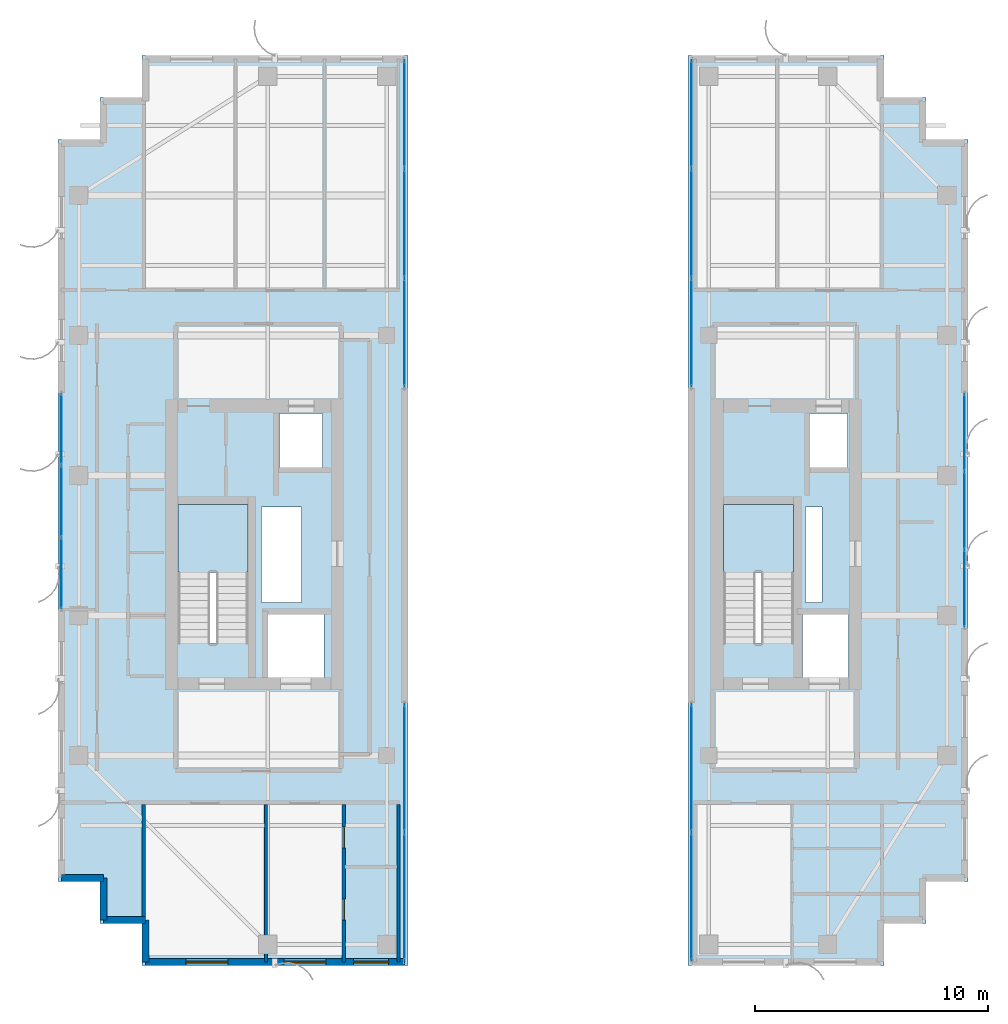
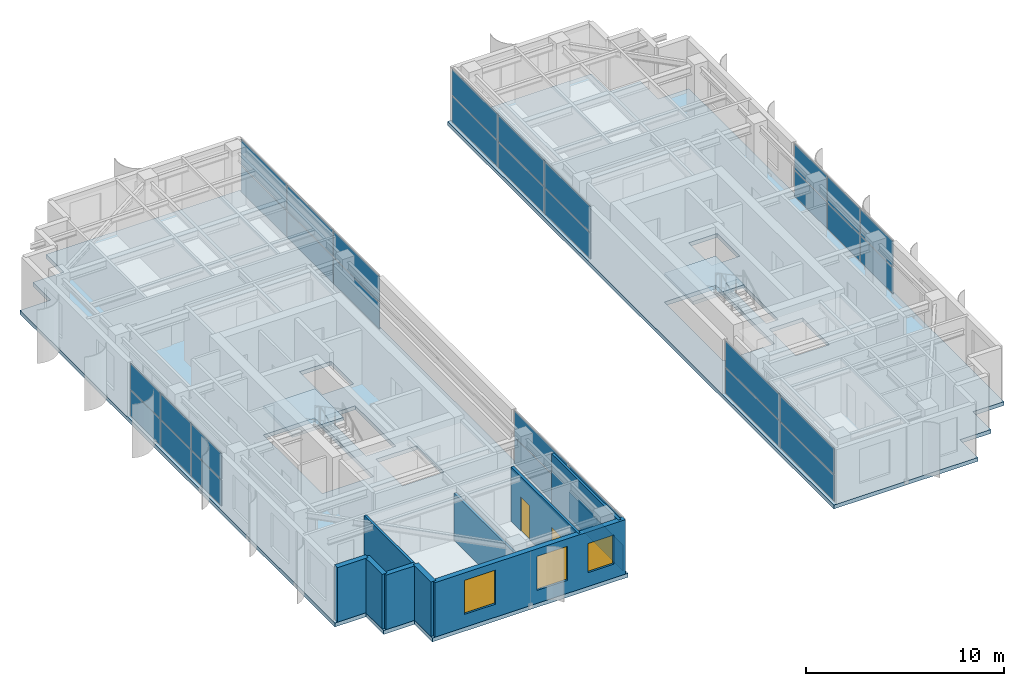
# One storey, part 17 of 24: 32 plates, 9 walls, 4 slabs, 3 windows, 2 doors, 5 openings, 8 elements without a shape of their own.
"""IFC4 building model written with IfcOpenShell, lengths in metres."""

from ifc_helpers import new_model, si_unit, direction, frame, frame_2d, origin, origin_2d, place, context, subcontext, project, spatial, polyline, rectangle, outline, extrude, source, transform, mapped, material, layer, layer_set, type_object, element, fill, aggregate, save


model = new_model("IFC4")

# Units and contexts
model_context = context("Model", 3, precision=1e-05, world=origin(), true_north=direction((0.0, 1.0)))
body_context = subcontext(model_context, "Body", "Model", "MODEL_VIEW")
ifc_project = project(units=[si_unit("LENGTHUNIT", "METRE"), si_unit("AREAUNIT", "SQUARE_METRE"), si_unit("VOLUMEUNIT", "CUBIC_METRE"), si_unit("PLANEANGLEUNIT", "RADIAN"), si_unit("MASSUNIT", "GRAM", prefix="KILO")], contexts=[model_context])

# Site, building, storey
site_placement = place(None, origin())
site = spatial("IfcSite", under=ifc_project, at=site_placement, CompositionType="ELEMENT")
building_placement = place(site_placement, origin())
building = spatial("IfcBuilding", under=site, at=building_placement, Name="Khoralis Quay Care Tower", CompositionType="ELEMENT")
storey_placement = place(building_placement, frame((0.0, 0.0, 238.5)))
storey = spatial("IfcBuildingStorey", under=building, at=storey_placement, Name="L62", CompositionType="ELEMENT", Elevation=238.5)

# Stair, slab
ifc_material_1 = material(Name="Precast concrete C45/55", Category="concrete")
stair_type = type_object("IfcStairType", Name="ST-TWR-DOGLEG-1400", PredefinedType="HALF_TURN_STAIR", material=ifc_material_1)
stair_1_placement = place(storey_placement, origin())
stair_1 = element("IfcStair", 1, at=stair_1_placement, inside=storey, type_object=stair_type, Name="L62 West Core Exit Stair ST-T1", PredefinedType="HALF_TURN_STAIR")
ifc_layer_1 = layer(ifc_material_1, 0.199951171875)
ifc_layer_set_1 = layer_set([ifc_layer_1], Name="Precast concrete C45/55")
slab_type_1 = type_object("IfcSlabType", Name="SLB-LANDING-200", PredefinedType="LANDING", material=ifc_layer_set_1)
slab_1_placement = place(storey_placement, frame((0.0, 0.0, 1.60009765625)))
slab_1 = element("IfcSlab", 2, at=slab_1_placement, type_object=slab_type_1, Name="ST-T1 landing 1", PredefinedType="LANDING", context=body_context, shape_type="SweptSolid", body=[
    extrude(outline(polyline([(11.14990234375, 19.840087890625), (11.14990234375, 22.75), (8.14990234375, 22.75), (8.14990234375, 19.840087890625), (11.14990234375, 19.840087890625)])), origin(), (0.0, 0.0, 1.0), 0.199951171875),
])
aggregate(stair_1, [slab_1])

stair_2_placement = place(storey_placement, origin())
stair_2 = element("IfcStair", 3, at=stair_2_placement, inside=storey, type_object=stair_type, Name="L62 East Core Exit Stair ST-T2", PredefinedType="HALF_TURN_STAIR")
slab_2_placement = place(storey_placement, frame((0.0, 0.0, 1.60009765625)))
slab_2 = element("IfcSlab", 4, at=slab_2_placement, type_object=slab_type_1, Name="ST-T2 landing 1", PredefinedType="LANDING", context=body_context, shape_type="SweptSolid", body=[
    extrude(outline(polyline([(34.52001953125, 19.840087890625), (34.52001953125, 22.75), (31.52001953125, 22.75), (31.52001953125, 19.840087890625), (34.52001953125, 19.840087890625)])), origin(), (0.0, 0.0, 1.0), 0.199951171875),
])
aggregate(stair_2, [slab_2])

# Slabs
ifc_material_2 = material(Name="Concrete C40/50", Category="concrete")
ifc_layer_2 = layer(ifc_material_2, 0.239990234375)
ifc_layer_set_2 = layer_set([ifc_layer_2], Name="Concrete C40/50")
slab_type_2 = type_object("IfcSlabType", Name="SLB-TWR-240", PredefinedType="FLOOR", material=ifc_layer_set_2)
slab_3_placement = place(storey_placement, frame((0.0, 0.0, -0.239990234375)))
element("IfcSlab", 5, at=slab_3_placement, inside=storey, type_object=slab_type_2, Name="Tower Wing 1 Slab L62", PredefinedType="FLOOR", context=body_context, shape_type="SweptSolid", body=[
    extrude(outline(polyline([(6.60009765625, 3.0), (18.0, 3.0), (18.0, 42.0), (6.60009765625, 42.0), (6.60009765625, 40.199951171875), (4.800048828125, 40.199951171875), (4.800048828125, 38.39990234375), (3.0, 38.39990234375), (3.0, 6.60009765625), (4.800048828125, 6.60009765625), (4.800048828125, 4.800048828125), (6.60009765625, 4.800048828125), (6.60009765625, 3.0)]), holes=[polyline([(11.14990234375, 16.800048828125), (11.14990234375, 22.75), (8.14990234375, 22.75), (8.14990234375, 16.800048828125), (11.14990234375, 16.800048828125)]), polyline([(12.0, 15.35009765625), (14.39990234375, 15.35009765625), (14.39990234375, 18.050048828125), (12.0, 18.050048828125), (12.0, 15.35009765625)]), polyline([(12.5, 24.35009765625), (14.35009765625, 24.35009765625), (14.35009765625, 26.64990234375), (12.5, 26.64990234375), (12.5, 24.35009765625)]), polyline([(11.719970703125, 18.550048828125), (13.449951171875, 18.550048828125), (13.449951171875, 22.64990234375), (11.719970703125, 22.64990234375), (11.719970703125, 18.550048828125)])]), origin(), (0.0, 0.0, 1.0), 0.239990234375),
])
slab_4_placement = place(storey_placement, frame((0.0, 0.0, -0.239990234375)))
element("IfcSlab", 6, at=slab_4_placement, inside=storey, type_object=slab_type_2, Name="Tower Wing 2 Slab L62", PredefinedType="FLOOR", context=body_context, shape_type="SweptSolid", body=[
    extrude(outline(polyline([(30.0, 3.0), (38.39990234375, 3.0), (38.39990234375, 4.800048828125), (40.199951171875, 4.800048828125), (40.199951171875, 6.60009765625), (42.0, 6.60009765625), (42.0, 38.39990234375), (40.199951171875, 38.39990234375), (40.199951171875, 40.199951171875), (38.39990234375, 40.199951171875), (38.39990234375, 42.0), (30.0, 42.0), (30.0, 3.0)]), holes=[polyline([(34.52001953125, 16.800048828125), (34.52001953125, 22.75), (31.52001953125, 22.75), (31.52001953125, 16.800048828125), (34.52001953125, 16.800048828125)]), polyline([(34.919921875, 15.35009765625), (36.8798828125, 15.35009765625), (36.8798828125, 18.050048828125), (34.919921875, 18.050048828125), (34.919921875, 15.35009765625)]), polyline([(35.199951171875, 24.35009765625), (36.85009765625, 24.35009765625), (36.85009765625, 26.64990234375), (35.199951171875, 26.64990234375), (35.199951171875, 24.35009765625)]), polyline([(35.050048828125, 18.550048828125), (35.75, 18.550048828125), (35.75, 22.64990234375), (35.050048828125, 22.64990234375), (35.050048828125, 18.550048828125)])]), origin(), (0.0, 0.0, 1.0), 0.239990234375),
])

# Curtain wall, plates
ifc_material_3 = material(Name="Pale anodised aluminium", Category="aluminium")
ifc_layer_3 = layer(ifc_material_3, 0.18994140625)
ifc_layer_set_3 = layer_set([ifc_layer_3], Name="Pale anodised aluminium")
curtain_wall_type_1 = type_object("IfcCurtainWallType", Name="CW-SYS-PORTAL", PredefinedType="NOTDEFINED", material=ifc_layer_set_3)
curtain_wall_1_placement = place(storey_placement, origin())
curtain_wall_1 = element("IfcCurtainWall", 7, at=curtain_wall_1_placement, inside=storey, type_object=curtain_wall_type_1, Name="L62 Unitised Curtain Wall CW-VP-L62-P1-S", PredefinedType="NOTDEFINED")
ifc_material_4 = material(Name="Low-E solar-control double glazing", Category="glass")
ifc_layer_4 = layer(ifc_material_4, 0.031982421875)
ifc_layer_set_4 = layer_set([ifc_layer_4], Name="Low-E solar-control double glazing")
plate_type = type_object("IfcPlateType", Name="PNL-VIS-32", PredefinedType="CURTAIN_PANEL", material=ifc_layer_set_4)
shared_shape_1 = source(origin(), body_context, "Body", "SweptSolid", [
    extrude(rectangle(XDim=5.4599609375, YDim=0.028076171875, at=origin_2d()), origin(), (0.0, 0.0, 1.0), 1.590087890625),
])
plate_1_placement = place(storey_placement, frame((17.85009765625, 5.93994140625, 0.06005859375), z_axis=(0.0, 0.0, 1.0), x_axis=(0.0, 1.0, 0.0)))
plate_1 = element("IfcPlate", 8, at=plate_1_placement, type_object=plate_type, Name="CW4 panel 1.1", PredefinedType="CURTAIN_PANEL", context=body_context, shape_type="MappedRepresentation", body=[
    mapped(shared_shape_1, transform((0.0, 0.0, 0.0), scale=1.0)),
])
plate_2_placement = place(storey_placement, frame((17.85009765625, 5.93994140625, 1.7099609375), z_axis=(0.0, 0.0, 1.0), x_axis=(0.0, 1.0, 0.0)))
plate_2 = element("IfcPlate", 9, at=plate_2_placement, type_object=plate_type, Name="CW4 panel 1.2", PredefinedType="CURTAIN_PANEL", context=body_context, shape_type="MappedRepresentation", body=[
    mapped(shared_shape_1, transform((0.0, 0.0, 0.0), scale=1.0)),
])
plate_3_placement = place(storey_placement, frame((17.85009765625, 11.4599609375, 0.06005859375), z_axis=(0.0, 0.0, 1.0), x_axis=(0.0, 1.0, 0.0)))
plate_3 = element("IfcPlate", 10, at=plate_3_placement, type_object=plate_type, Name="CW4 panel 2.1", PredefinedType="CURTAIN_PANEL", context=body_context, shape_type="MappedRepresentation", body=[
    mapped(shared_shape_1, transform((0.0, 0.0, 0.0), scale=1.0)),
])
plate_4_placement = place(storey_placement, frame((17.85009765625, 11.4599609375, 1.7099609375), z_axis=(0.0, 0.0, 1.0), x_axis=(0.0, 1.0, 0.0)))
plate_4 = element("IfcPlate", 11, at=plate_4_placement, type_object=plate_type, Name="CW4 panel 2.2", PredefinedType="CURTAIN_PANEL", context=body_context, shape_type="MappedRepresentation", body=[
    mapped(shared_shape_1, transform((0.0, 0.0, 0.0), scale=1.0)),
])
aggregate(curtain_wall_1, [plate_1, plate_2, plate_3, plate_4])

curtain_wall_2_placement = place(storey_placement, origin())
curtain_wall_2 = element("IfcCurtainWall", 12, at=curtain_wall_2_placement, inside=storey, type_object=curtain_wall_type_1, Name="L62 Unitised Curtain Wall CW-VP-L62-P2-S", PredefinedType="NOTDEFINED")
plate_5_placement = place(storey_placement, frame((30.14990234375, 5.93994140625, 0.06005859375), z_axis=(0.0, 0.0, 1.0), x_axis=(0.0, 1.0, 0.0)))
plate_5 = element("IfcPlate", 13, at=plate_5_placement, type_object=plate_type, Name="CW4 panel 1.1", PredefinedType="CURTAIN_PANEL", context=body_context, shape_type="MappedRepresentation", body=[
    mapped(shared_shape_1, transform((0.0, 0.0, 0.0), scale=1.0)),
])
plate_6_placement = place(storey_placement, frame((30.14990234375, 5.93994140625, 1.7099609375), z_axis=(0.0, 0.0, 1.0), x_axis=(0.0, 1.0, 0.0)))
plate_6 = element("IfcPlate", 14, at=plate_6_placement, type_object=plate_type, Name="CW4 panel 1.2", PredefinedType="CURTAIN_PANEL", context=body_context, shape_type="MappedRepresentation", body=[
    mapped(shared_shape_1, transform((0.0, 0.0, 0.0), scale=1.0)),
])
plate_7_placement = place(storey_placement, frame((30.14990234375, 11.4599609375, 0.06005859375), z_axis=(0.0, 0.0, 1.0), x_axis=(0.0, 1.0, 0.0)))
plate_7 = element("IfcPlate", 15, at=plate_7_placement, type_object=plate_type, Name="CW4 panel 2.1", PredefinedType="CURTAIN_PANEL", context=body_context, shape_type="MappedRepresentation", body=[
    mapped(shared_shape_1, transform((0.0, 0.0, 0.0), scale=1.0)),
])
plate_8_placement = place(storey_placement, frame((30.14990234375, 11.4599609375, 1.7099609375), z_axis=(0.0, 0.0, 1.0), x_axis=(0.0, 1.0, 0.0)))
plate_8 = element("IfcPlate", 16, at=plate_8_placement, type_object=plate_type, Name="CW4 panel 2.2", PredefinedType="CURTAIN_PANEL", context=body_context, shape_type="MappedRepresentation", body=[
    mapped(shared_shape_1, transform((0.0, 0.0, 0.0), scale=1.0)),
])
aggregate(curtain_wall_2, [plate_5, plate_6, plate_7, plate_8])

curtain_wall_3_placement = place(storey_placement, origin())
curtain_wall_3 = element("IfcCurtainWall", 17, at=curtain_wall_3_placement, inside=storey, type_object=curtain_wall_type_1, Name="L62 Unitised Curtain Wall CW-VP-L62-P1-N", PredefinedType="NOTDEFINED")
shared_shape_2 = source(origin(), body_context, "Body", "SweptSolid", [
    extrude(rectangle(XDim=4.610107421875, YDim=0.028076171875, at=origin_2d()), origin(), (0.0, 0.0, 1.0), 1.590087890625),
])
plate_9_placement = place(storey_placement, frame((17.85009765625, 30.114990234375, 0.06005859375), z_axis=(0.0, 0.0, 1.0), x_axis=(0.0, 1.0, 0.0)))
plate_9 = element("IfcPlate", 18, at=plate_9_placement, type_object=plate_type, Name="CW4 panel 1.1", PredefinedType="CURTAIN_PANEL", context=body_context, shape_type="MappedRepresentation", body=[
    mapped(shared_shape_2, transform((0.0, 0.0, 0.0), scale=1.0)),
])
plate_10_placement = place(storey_placement, frame((17.85009765625, 30.114990234375, 1.7099609375), z_axis=(0.0, 0.0, 1.0), x_axis=(0.0, 1.0, 0.0)))
plate_10 = element("IfcPlate", 19, at=plate_10_placement, type_object=plate_type, Name="CW4 panel 1.2", PredefinedType="CURTAIN_PANEL", context=body_context, shape_type="MappedRepresentation", body=[
    mapped(shared_shape_2, transform((0.0, 0.0, 0.0), scale=1.0)),
])
plate_11_placement = place(storey_placement, frame((17.85009765625, 39.485107421875, 0.06005859375), z_axis=(0.0, 0.0, 1.0), x_axis=(0.0, 1.0, 0.0)))
plate_11 = element("IfcPlate", 20, at=plate_11_placement, type_object=plate_type, Name="CW4 panel 3.1", PredefinedType="CURTAIN_PANEL", context=body_context, shape_type="MappedRepresentation", body=[
    mapped(shared_shape_2, transform((0.0, 0.0, 0.0), scale=1.0)),
])
plate_12_placement = place(storey_placement, frame((17.85009765625, 39.485107421875, 1.7099609375), z_axis=(0.0, 0.0, 1.0), x_axis=(0.0, 1.0, 0.0)))
plate_12 = element("IfcPlate", 21, at=plate_12_placement, type_object=plate_type, Name="CW4 panel 3.2", PredefinedType="CURTAIN_PANEL", context=body_context, shape_type="MappedRepresentation", body=[
    mapped(shared_shape_2, transform((0.0, 0.0, 0.0), scale=1.0)),
])

curtain_wall_4_placement = place(storey_placement, origin())
curtain_wall_4 = element("IfcCurtainWall", 22, at=curtain_wall_4_placement, inside=storey, type_object=curtain_wall_type_1, Name="L62 Unitised Curtain Wall CW-VP-L62-P2-N", PredefinedType="NOTDEFINED")
plate_13_placement = place(storey_placement, frame((30.14990234375, 30.114990234375, 0.06005859375), z_axis=(0.0, 0.0, 1.0), x_axis=(0.0, 1.0, 0.0)))
plate_13 = element("IfcPlate", 23, at=plate_13_placement, type_object=plate_type, Name="CW4 panel 1.1", PredefinedType="CURTAIN_PANEL", context=body_context, shape_type="MappedRepresentation", body=[
    mapped(shared_shape_2, transform((0.0, 0.0, 0.0), scale=1.0)),
])
plate_14_placement = place(storey_placement, frame((30.14990234375, 30.114990234375, 1.7099609375), z_axis=(0.0, 0.0, 1.0), x_axis=(0.0, 1.0, 0.0)))
plate_14 = element("IfcPlate", 24, at=plate_14_placement, type_object=plate_type, Name="CW4 panel 1.2", PredefinedType="CURTAIN_PANEL", context=body_context, shape_type="MappedRepresentation", body=[
    mapped(shared_shape_2, transform((0.0, 0.0, 0.0), scale=1.0)),
])
plate_15_placement = place(storey_placement, frame((30.14990234375, 39.485107421875, 0.06005859375), z_axis=(0.0, 0.0, 1.0), x_axis=(0.0, 1.0, 0.0)))
plate_15 = element("IfcPlate", 25, at=plate_15_placement, type_object=plate_type, Name="CW4 panel 3.1", PredefinedType="CURTAIN_PANEL", context=body_context, shape_type="MappedRepresentation", body=[
    mapped(shared_shape_2, transform((0.0, 0.0, 0.0), scale=1.0)),
])
plate_16_placement = place(storey_placement, frame((30.14990234375, 39.485107421875, 1.7099609375), z_axis=(0.0, 0.0, 1.0), x_axis=(0.0, 1.0, 0.0)))
plate_16 = element("IfcPlate", 26, at=plate_16_placement, type_object=plate_type, Name="CW4 panel 3.2", PredefinedType="CURTAIN_PANEL", context=body_context, shape_type="MappedRepresentation", body=[
    mapped(shared_shape_2, transform((0.0, 0.0, 0.0), scale=1.0)),
])

# Plate
shared_shape_3 = source(origin(), body_context, "Body", "SweptSolid", [
    extrude(rectangle(XDim=4.639892578125, YDim=0.028076171875, at=origin_2d()), origin(), (0.0, 0.0, 1.0), 1.590087890625),
])
plate_17_placement = place(storey_placement, frame((17.85009765625, 34.800048828125, 0.06005859375), z_axis=(0.0, 0.0, 1.0), x_axis=(0.0, 1.0, 0.0)))
plate_17 = element("IfcPlate", 27, at=plate_17_placement, type_object=plate_type, Name="CW4 panel 2.1", PredefinedType="CURTAIN_PANEL", context=body_context, shape_type="MappedRepresentation", body=[
    mapped(shared_shape_3, transform((0.0, 0.0, 0.0), scale=1.0)),
])

plate_18_placement = place(storey_placement, frame((17.85009765625, 34.800048828125, 1.7099609375), z_axis=(0.0, 0.0, 1.0), x_axis=(0.0, 1.0, 0.0)))
plate_18 = element("IfcPlate", 28, at=plate_18_placement, type_object=plate_type, Name="CW4 panel 2.2", PredefinedType="CURTAIN_PANEL", context=body_context, shape_type="MappedRepresentation", body=[
    mapped(shared_shape_3, transform((0.0, 0.0, 0.0), scale=1.0)),
])

aggregate(curtain_wall_3, [plate_9, plate_10, plate_17, plate_18, plate_11, plate_12])

plate_19_placement = place(storey_placement, frame((30.14990234375, 34.800048828125, 0.06005859375), z_axis=(0.0, 0.0, 1.0), x_axis=(0.0, 1.0, 0.0)))
plate_19 = element("IfcPlate", 29, at=plate_19_placement, type_object=plate_type, Name="CW4 panel 2.1", PredefinedType="CURTAIN_PANEL", context=body_context, shape_type="MappedRepresentation", body=[
    mapped(shared_shape_3, transform((0.0, 0.0, 0.0), scale=1.0)),
])

plate_20_placement = place(storey_placement, frame((30.14990234375, 34.800048828125, 1.7099609375), z_axis=(0.0, 0.0, 1.0), x_axis=(0.0, 1.0, 0.0)))
plate_20 = element("IfcPlate", 30, at=plate_20_placement, type_object=plate_type, Name="CW4 panel 2.2", PredefinedType="CURTAIN_PANEL", context=body_context, shape_type="MappedRepresentation", body=[
    mapped(shared_shape_3, transform((0.0, 0.0, 0.0), scale=1.0)),
])

aggregate(curtain_wall_4, [plate_13, plate_14, plate_19, plate_20, plate_15, plate_16])

# Curtain wall, plates
ifc_layer_5 = layer(ifc_material_3, 0.159912109375)
ifc_layer_set_5 = layer_set([ifc_layer_5], Name="Pale anodised aluminium")
curtain_wall_type_2 = type_object("IfcCurtainWallType", Name="CW-SYS-Z3", PredefinedType="NOTDEFINED", material=ifc_layer_set_5)
curtain_wall_5_placement = place(storey_placement, origin())
curtain_wall_5 = element("IfcCurtainWall", 31, at=curtain_wall_5_placement, inside=storey, type_object=curtain_wall_type_2, Name="L62 Unitised Curtain Wall CW-L62-P2-E5", PredefinedType="NOTDEFINED")
shared_shape_4 = source(origin(), body_context, "Body", "SweptSolid", [
    extrude(rectangle(XDim=3.27001953125, YDim=0.028076171875, at=origin_2d()), origin(), (0.0, 0.0, 1.0), 1.590087890625),
])
plate_21_placement = place(storey_placement, frame((41.85009765625, 19.155029296875, 0.06005859375), z_axis=(0.0, 0.0, 1.0), x_axis=(0.0, 1.0, 0.0)))
plate_21 = element("IfcPlate", 32, at=plate_21_placement, type_object=plate_type, Name="CW3 panel 1.1", PredefinedType="CURTAIN_PANEL", context=body_context, shape_type="MappedRepresentation", body=[
    mapped(shared_shape_4, transform((0.0, 0.0, 0.0), scale=1.0)),
])
plate_22_placement = place(storey_placement, frame((41.85009765625, 19.155029296875, 1.7099609375), z_axis=(0.0, 0.0, 1.0), x_axis=(0.0, 1.0, 0.0)))
plate_22 = element("IfcPlate", 33, at=plate_22_placement, type_object=plate_type, Name="CW3 panel 1.2", PredefinedType="CURTAIN_PANEL", context=body_context, shape_type="MappedRepresentation", body=[
    mapped(shared_shape_4, transform((0.0, 0.0, 0.0), scale=1.0)),
])
plate_23_placement = place(storey_placement, frame((41.85009765625, 25.844970703125, 0.06005859375), z_axis=(0.0, 0.0, 1.0), x_axis=(0.0, 1.0, 0.0)))
plate_23 = element("IfcPlate", 34, at=plate_23_placement, type_object=plate_type, Name="CW3 panel 3.1", PredefinedType="CURTAIN_PANEL", context=body_context, shape_type="MappedRepresentation", body=[
    mapped(shared_shape_4, transform((0.0, 0.0, 0.0), scale=1.0)),
])
plate_24_placement = place(storey_placement, frame((41.85009765625, 25.844970703125, 1.7099609375), z_axis=(0.0, 0.0, 1.0), x_axis=(0.0, 1.0, 0.0)))
plate_24 = element("IfcPlate", 35, at=plate_24_placement, type_object=plate_type, Name="CW3 panel 3.2", PredefinedType="CURTAIN_PANEL", context=body_context, shape_type="MappedRepresentation", body=[
    mapped(shared_shape_4, transform((0.0, 0.0, 0.0), scale=1.0)),
])
shared_shape_5 = source(origin(), body_context, "Body", "SweptSolid", [
    extrude(rectangle(XDim=3.300048828125, YDim=0.028076171875, at=origin_2d()), origin(), (0.0, 0.0, 1.0), 1.590087890625),
])
plate_25_placement = place(storey_placement, frame((41.85009765625, 22.5, 0.06005859375), z_axis=(0.0, 0.0, 1.0), x_axis=(0.0, 1.0, 0.0)))
plate_25 = element("IfcPlate", 36, at=plate_25_placement, type_object=plate_type, Name="CW3 panel 2.1", PredefinedType="CURTAIN_PANEL", context=body_context, shape_type="MappedRepresentation", body=[
    mapped(shared_shape_5, transform((0.0, 0.0, 0.0), scale=1.0)),
])
plate_26_placement = place(storey_placement, frame((41.85009765625, 22.5, 1.7099609375), z_axis=(0.0, 0.0, 1.0), x_axis=(0.0, 1.0, 0.0)))
plate_26 = element("IfcPlate", 37, at=plate_26_placement, type_object=plate_type, Name="CW3 panel 2.2", PredefinedType="CURTAIN_PANEL", context=body_context, shape_type="MappedRepresentation", body=[
    mapped(shared_shape_5, transform((0.0, 0.0, 0.0), scale=1.0)),
])
aggregate(curtain_wall_5, [plate_21, plate_22, plate_25, plate_26, plate_23, plate_24])

curtain_wall_6_placement = place(storey_placement, origin())
curtain_wall_6 = element("IfcCurtainWall", 38, at=curtain_wall_6_placement, inside=storey, type_object=curtain_wall_type_2, Name="L62 Unitised Curtain Wall CW-L62-P1-E7", PredefinedType="NOTDEFINED")
shared_shape_6 = source(origin(), body_context, "Body", "SweptSolid", [
    extrude(rectangle(XDim=3.006591796875, YDim=0.028076171875, at=origin_2d()), origin(), (0.0, 0.0, 1.0), 1.590087890625),
])
plate_27_placement = place(storey_placement, frame((3.14990234375, 25.9765625, 0.06005859375), z_axis=(0.0, 0.0, 1.0), x_axis=(0.0, -1.0, 0.0)))
plate_27 = element("IfcPlate", 39, at=plate_27_placement, type_object=plate_type, Name="CW3 panel 1.1", PredefinedType="CURTAIN_PANEL", context=body_context, shape_type="MappedRepresentation", body=[
    mapped(shared_shape_6, transform((0.0, 0.0, 0.0), scale=1.0)),
])
plate_28_placement = place(storey_placement, frame((3.14990234375, 25.9765625, 1.7099609375), z_axis=(0.0, 0.0, 1.0), x_axis=(0.0, -1.0, 0.0)))
plate_28 = element("IfcPlate", 40, at=plate_28_placement, type_object=plate_type, Name="CW3 panel 1.2", PredefinedType="CURTAIN_PANEL", context=body_context, shape_type="MappedRepresentation", body=[
    mapped(shared_shape_6, transform((0.0, 0.0, 0.0), scale=1.0)),
])
plate_29_placement = place(storey_placement, frame((3.14990234375, 19.813232421875, 0.06005859375), z_axis=(0.0, 0.0, 1.0), x_axis=(0.0, -1.0, 0.0)))
plate_29 = element("IfcPlate", 41, at=plate_29_placement, type_object=plate_type, Name="CW3 panel 3.1", PredefinedType="CURTAIN_PANEL", context=body_context, shape_type="MappedRepresentation", body=[
    mapped(shared_shape_6, transform((0.0, 0.0, 0.0), scale=1.0)),
])
plate_30_placement = place(storey_placement, frame((3.14990234375, 19.813232421875, 1.7099609375), z_axis=(0.0, 0.0, 1.0), x_axis=(0.0, -1.0, 0.0)))
plate_30 = element("IfcPlate", 42, at=plate_30_placement, type_object=plate_type, Name="CW3 panel 3.2", PredefinedType="CURTAIN_PANEL", context=body_context, shape_type="MappedRepresentation", body=[
    mapped(shared_shape_6, transform((0.0, 0.0, 0.0), scale=1.0)),
])
shared_shape_7 = source(origin(), body_context, "Body", "SweptSolid", [
    extrude(rectangle(XDim=3.03662109375, YDim=0.028076171875, at=origin_2d()), origin(), (0.0, 0.0, 1.0), 1.590087890625),
])
plate_31_placement = place(storey_placement, frame((3.14990234375, 22.89501953125, 0.06005859375), z_axis=(0.0, 0.0, 1.0), x_axis=(0.0, -1.0, 0.0)))
plate_31 = element("IfcPlate", 43, at=plate_31_placement, type_object=plate_type, Name="CW3 panel 2.1", PredefinedType="CURTAIN_PANEL", context=body_context, shape_type="MappedRepresentation", body=[
    mapped(shared_shape_7, transform((0.0, 0.0, 0.0), scale=1.0)),
])
plate_32_placement = place(storey_placement, frame((3.14990234375, 22.89501953125, 1.7099609375), z_axis=(0.0, 0.0, 1.0), x_axis=(0.0, -1.0, 0.0)))
plate_32 = element("IfcPlate", 44, at=plate_32_placement, type_object=plate_type, Name="CW3 panel 2.2", PredefinedType="CURTAIN_PANEL", context=body_context, shape_type="MappedRepresentation", body=[
    mapped(shared_shape_7, transform((0.0, 0.0, 0.0), scale=1.0)),
])
aggregate(curtain_wall_6, [plate_27, plate_28, plate_31, plate_32, plate_29, plate_30])

# Wall, openings, windows
ifc_layer_6 = layer(ifc_material_1, 0.300048828125)
ifc_layer_set_6 = layer_set([ifc_layer_6], Name="Precast concrete C45/55")
wall_type_1 = type_object("IfcWallType", Name="WL-EXT-REF-300", PredefinedType="SOLIDWALL", material=ifc_layer_set_6)
wall_1_placement = place(storey_placement, frame((6.75, 3.14990234375, 0.0), z_axis=(0.0, 0.0, 1.0), x_axis=(1.0, 0.0, 0.0)))
wall_1 = element("IfcWall", 45, at=wall_1_placement, inside=storey, type_object=wall_type_1, Name="L62 External Facade Wall WL-EXT-L62-P1-E0", PredefinedType="SOLIDWALL", context=body_context, shape_type="SweptSolid", body=[
    extrude(rectangle(XDim=11.10009765625, YDim=0.300048828125, at=frame_2d((5.550048828125, 0.0))), origin(), (0.0, 0.0, 1.0), 3.360107421875),
])
opening_1_placement = place(wall_1_placement, frame((1.735107421875, 0.0, 0.800048828125)))
opening_1 = element("IfcOpeningElement", 46, at=opening_1_placement, cuts=wall_1, Name="Opening W2", PredefinedType="OPENING", context=body_context, shape_type="SweptSolid", body=[
    extrude(rectangle(XDim=1.800048828125, YDim=2.10009765625, at=frame_2d((0.89990234375, 1.050048828125))), frame((0.0, 0.16015625, 0.0), z_axis=(0.0, -1.0, 0.0), x_axis=(1.0, 0.0, 0.0)), (0.0, 0.0, 1.0), 0.320068359375),
])
opening_2_placement = place(wall_1_placement, frame((5.93505859375, 0.0, 0.800048828125)))
opening_2 = element("IfcOpeningElement", 47, at=opening_2_placement, cuts=wall_1, Name="Opening W2", PredefinedType="OPENING", context=body_context, shape_type="SweptSolid", body=[
    extrude(rectangle(XDim=1.800048828125, YDim=2.10009765625, at=frame_2d((0.89990234375, 1.050048828125))), frame((0.0, 0.16015625, 0.0), z_axis=(0.0, -1.0, 0.0), x_axis=(1.0, 0.0, 0.0)), (0.0, 0.0, 1.0), 0.320068359375),
])
opening_3_placement = place(wall_1_placement, frame((8.925048828125, 0.0, 0.85009765625)))
opening_3 = element("IfcOpeningElement", 48, at=opening_3_placement, cuts=wall_1, Name="Opening W3", PredefinedType="OPENING", context=body_context, shape_type="SweptSolid", body=[
    extrude(rectangle(XDim=1.5, YDim=1.800048828125, at=frame_2d((0.75, 0.89990234375))), frame((0.0, 0.16015625, 0.0), z_axis=(0.0, -1.0, 0.0), x_axis=(1.0, 0.0, 0.0)), (0.0, 0.0, 1.0), 0.320068359375),
])
window_type_1 = type_object("IfcWindowType", Name="WN-CLIN-1500X1800", PartitioningType="SINGLE_PANEL", PredefinedType="WINDOW", material=ifc_material_4)
shared_shape_8 = source(origin(), body_context, "Body", "SweptSolid", [
    extrude(rectangle(XDim=1.5, YDim=1.800048828125, at=frame_2d((0.75, 0.89990234375))), frame((0.0, 0.030029296875, 0.0), z_axis=(0.0, -1.0, 0.0), x_axis=(1.0, 0.0, 0.0)), (0.0, 0.0, 1.0), 0.06005859375),
])
window_1_placement = place(opening_3_placement, origin())
window_1 = element("IfcWindow", 49, at=window_1_placement, inside=storey, type_object=window_type_1, Name="WN-L62-P1-E0 Facade Window 03", OverallHeight=1.800048828125, OverallWidth=1.5, PartitioningType="SINGLE_PANEL", PredefinedType="WINDOW", context=body_context, shape_type="MappedRepresentation", body=[
    mapped(shared_shape_8, transform((0.0, 0.0, 0.0), scale=1.0)),
])
fill(opening_3, window_1)
window_type_2 = type_object("IfcWindowType", Name="WN-POD-1800X2100", PartitioningType="SINGLE_PANEL", PredefinedType="WINDOW", material=ifc_material_4)
shared_shape_9 = source(origin(), body_context, "Body", "SweptSolid", [
    extrude(rectangle(XDim=1.800048828125, YDim=2.10009765625, at=frame_2d((0.89990234375, 1.050048828125))), frame((0.0, 0.030029296875, 0.0), z_axis=(0.0, -1.0, 0.0), x_axis=(1.0, 0.0, 0.0)), (0.0, 0.0, 1.0), 0.06005859375),
])
window_2_placement = place(opening_1_placement, origin())
window_2 = element("IfcWindow", 50, at=window_2_placement, inside=storey, type_object=window_type_2, Name="WN-L62-P1-E0 Facade Window 01", OverallHeight=2.10009765625, OverallWidth=1.800048828125, PartitioningType="SINGLE_PANEL", PredefinedType="WINDOW", context=body_context, shape_type="MappedRepresentation", body=[
    mapped(shared_shape_9, transform((0.0, 0.0, 0.0), scale=1.0)),
])
fill(opening_1, window_2)
window_3_placement = place(opening_2_placement, origin())
window_3 = element("IfcWindow", 51, at=window_3_placement, inside=storey, type_object=window_type_2, Name="WN-L62-P1-E0 Facade Window 02", OverallHeight=2.10009765625, OverallWidth=1.800048828125, PartitioningType="SINGLE_PANEL", PredefinedType="WINDOW", context=body_context, shape_type="MappedRepresentation", body=[
    mapped(shared_shape_9, transform((0.0, 0.0, 0.0), scale=1.0)),
])
fill(opening_2, window_3)

# Walls
for number, where, z_axis, x_axis, name in (
    (52, (3.14990234375, 6.75, 0.0), (0.0, 0.0, 1.0), (1.0, 0.0, 0.0), "L62 External Facade Wall WL-EXT-L62-P1-C8"),
    (53, (4.949951171875, 6.75, 0.0), (0.0, 0.0, 1.0), (0.0, -1.0, 0.0), "L62 External Facade Wall WL-EXT-L62-P1-C9"),
    (54, (4.949951171875, 4.949951171875, 0.0), (0.0, 0.0, 1.0), (1.0, 0.0, 0.0), "L62 External Facade Wall WL-EXT-L62-P1-C10"),
    (55, (6.75, 4.949951171875, 0.0), (0.0, 0.0, 1.0), (0.0, -1.0, 0.0), "L62 External Facade Wall WL-EXT-L62-P1-C11"),
):
    element("IfcWall", number, at=place(storey_placement, frame(where, z_axis=z_axis, x_axis=x_axis)), inside=storey, type_object=wall_type_1, Name=name, PredefinedType="SOLIDWALL", context=body_context, shape_type="SweptSolid", body=[
        extrude(rectangle(XDim=1.800048828125, YDim=0.300048828125, at=frame_2d((0.89990234375, 0.0))), origin(), (0.0, 0.0, 1.0), 3.360107421875),
    ])

# Wall, openings, doors
ifc_material_5 = material(Name="Moisture-resistant gypsum and ceramic tile")
ifc_layer_7 = layer(ifc_material_5, 0.280029296875)
ifc_layer_set_7 = layer_set([ifc_layer_7], Name="Moisture-resistant gypsum and ceramic tile")
wall_type_2 = type_object("IfcWallType", Name="WL-PLUMB-280", PredefinedType="PLUMBINGWALL", material=ifc_layer_set_7)
wall_2_placement = place(storey_placement, frame((15.25, 3.14501953125, 0.0), z_axis=(0.0, 0.0, 1.0), x_axis=(0.0, 1.0, 0.0)))
wall_2 = element("IfcWall", 56, at=wall_2_placement, inside=storey, type_object=wall_type_2, Name="L62 Care Suite 1 En-Suite Wall V", PredefinedType="PLUMBINGWALL", context=body_context, shape_type="SweptSolid", body=[
    extrude(rectangle(XDim=6.757568359375, YDim=0.139892578125, at=frame_2d((3.37890625, 0.0))), origin(), (0.0, 0.0, 1.0), 3.360107421875),
])
opening_4_placement = place(wall_2_placement, frame((4.89501953125, 0.0, 0.0)))
opening_4 = element("IfcOpeningElement", 57, at=opening_4_placement, cuts=wall_2, Name="Opening WD1", PredefinedType="OPENING", context=body_context, shape_type="SweptSolid", body=[
    extrude(rectangle(XDim=0.89990234375, YDim=2.10009765625, at=frame_2d((0.449951171875, 1.050048828125))), frame((0.0, 0.080078125, 0.0), z_axis=(0.0, -1.0, 0.0), x_axis=(1.0, 0.0, 0.0)), (0.0, 0.0, 1.0), 0.159912109375),
])
opening_5_placement = place(wall_2_placement, frame((1.794921875, 0.0, 0.0)))
opening_5 = element("IfcOpeningElement", 58, at=opening_5_placement, cuts=wall_2, Name="Opening WD1", PredefinedType="OPENING", context=body_context, shape_type="SweptSolid", body=[
    extrude(rectangle(XDim=0.89990234375, YDim=2.10009765625, at=frame_2d((0.449951171875, 1.050048828125))), frame((0.0, 0.080078125, 0.0), z_axis=(0.0, -1.0, 0.0), x_axis=(1.0, 0.0, 0.0)), (0.0, 0.0, 1.0), 0.159912109375),
])
ifc_material_6 = material(Name="Acoustic hardwood timber", Category="wood")
door_type = type_object("IfcDoorType", Name="DR-BATH-900X2100", OperationType="NOTDEFINED", PredefinedType="DOOR", material=ifc_material_6)
shared_shape_10 = source(origin(), body_context, "Body", "SweptSolid", [
    extrude(rectangle(XDim=0.89990234375, YDim=2.10009765625, at=frame_2d((0.449951171875, 1.050048828125))), frame((0.0, 0.02490234375, 0.0), z_axis=(0.0, -1.0, 0.0), x_axis=(1.0, 0.0, 0.0)), (0.0, 0.0, 1.0), 0.050048828125),
])
door_1_placement = place(opening_4_placement, frame((0.89990234375, 0.0, 0.0), z_axis=(0.0, 0.0, 1.0), x_axis=(-1.0, 0.0, 0.0)))
door_1 = element("IfcDoor", 59, at=door_1_placement, inside=storey, type_object=door_type, Name="L62 Care CENS Door", OperationType="SINGLE_SWING_LEFT", OverallHeight=2.10009765625, OverallWidth=0.89990234375, PredefinedType="DOOR", context=body_context, shape_type="MappedRepresentation", body=[
    mapped(shared_shape_10, transform((0.0, 0.0, 0.0), scale=1.0)),
])
fill(opening_4, door_1)
door_2_placement = place(opening_5_placement, frame((0.89990234375, 0.0, 0.0), z_axis=(0.0, 0.0, 1.0), x_axis=(-1.0, 0.0, 0.0)))
door_2 = element("IfcDoor", 60, at=door_2_placement, inside=storey, type_object=door_type, Name="L62 Care CSIT Door", OperationType="SINGLE_SWING_RIGHT", OverallHeight=2.10009765625, OverallWidth=0.89990234375, PredefinedType="DOOR", context=body_context, shape_type="MappedRepresentation", body=[
    mapped(shared_shape_10, transform((0.0, 0.0, 0.0), scale=1.0)),
])
fill(opening_5, door_2)

# Walls
ifc_material_7 = material(Name="Gypsum plasterboard on acoustic metal stud")
ifc_layer_8 = layer(ifc_material_7, 0.139892578125)
ifc_layer_set_8 = layer_set([ifc_layer_8], Name="Gypsum plasterboard on acoustic metal stud")
wall_type_3 = type_object("IfcWallType", Name="WL-UNIT-140", PredefinedType="PARTITIONING", material=ifc_layer_set_8)
wall_3_placement = place(storey_placement, frame((6.679931640625, 4.945068359375, 0.0), z_axis=(0.0, 0.0, 1.0), x_axis=(0.0, 1.0, 0.0)))
element("IfcWall", 61, at=wall_3_placement, inside=storey, type_object=wall_type_3, Name="L62 WS Demising Wall 0", PredefinedType="PARTITIONING", context=body_context, shape_type="SweptSolid", body=[
    extrude(rectangle(XDim=4.95751953125, YDim=0.139892578125, at=frame_2d((2.478759765625, 0.0))), origin(), (0.0, 0.0, 1.0), 3.360107421875),
])
wall_4_placement = place(storey_placement, frame((11.919921875, 3.14501953125, 0.0), z_axis=(0.0, 0.0, 1.0), x_axis=(0.0, 1.0, 0.0)))
element("IfcWall", 62, at=wall_4_placement, inside=storey, type_object=wall_type_3, Name="L62 WS Demising Wall 1", PredefinedType="PARTITIONING", context=body_context, shape_type="SweptSolid", body=[
    extrude(rectangle(XDim=6.757568359375, YDim=0.139892578125, at=frame_2d((3.37890625, 0.0))), origin(), (0.0, 0.0, 1.0), 2.90087890625),
])
wall_5_placement = place(storey_placement, frame((17.60009765625, 3.14501953125, 0.0), z_axis=(0.0, 0.0, 1.0), x_axis=(0.0, 1.0, 0.0)))
element("IfcWall", 63, at=wall_5_placement, inside=storey, type_object=wall_type_3, Name="L62 WS Demising Wall 2", PredefinedType="PARTITIONING", context=body_context, shape_type="SweptSolid", body=[
    extrude(rectangle(XDim=6.757568359375, YDim=0.139892578125, at=frame_2d((3.37890625, 0.0))), origin(), (0.0, 0.0, 1.0), 3.360107421875),
])

save(model, "model.ifc")
